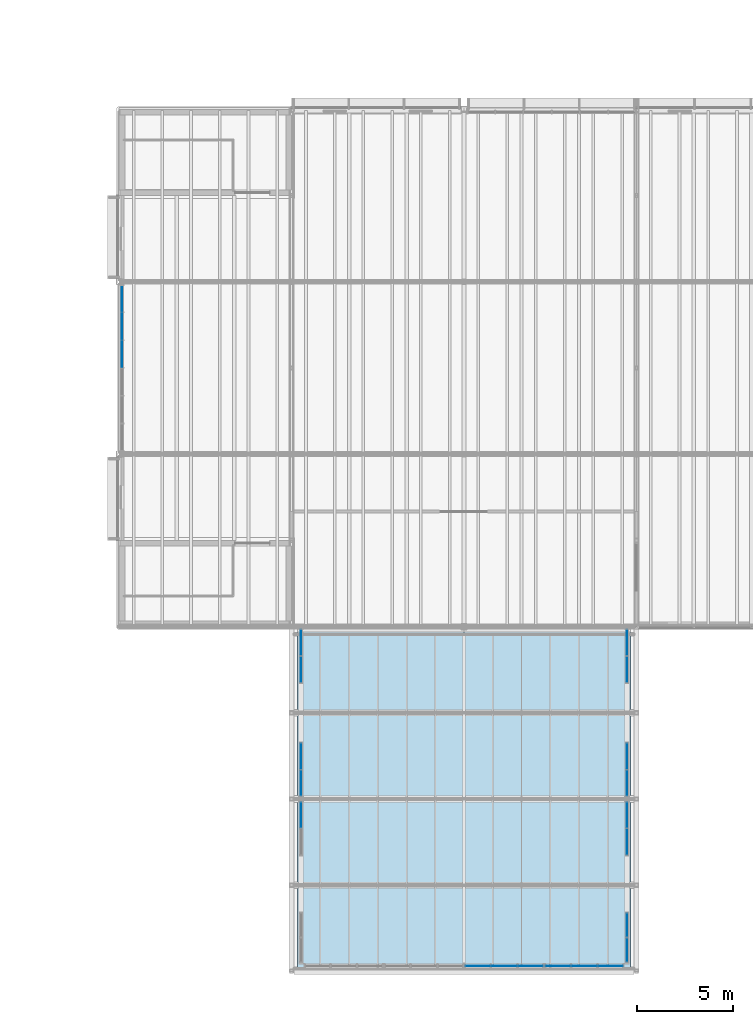
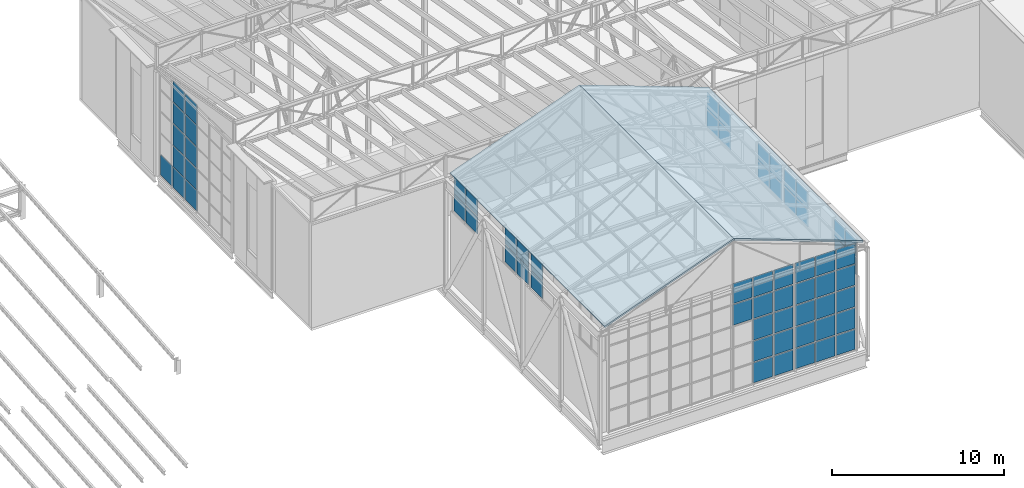
# One storey, part 67 of 90: 64 plates, 2 slabs, 10 elements without a shape of their own.
"""IFC4 building model written with IfcOpenShell, lengths in metres."""

from ifc_helpers import new_model, si_unit, direction, frame, origin, origin_2d, place, context, subcontext, project, spatial, polyline, rectangle, outline, extrude, material, layer, layer_set, type_object, element, aggregate, save


model = new_model("IFC4")

# Units and contexts
model_context = context("Model", 3, precision=1e-05, world=origin(), true_north=direction((0.0, 1.0)))
body_context = subcontext(model_context, "Body", "Model", "MODEL_VIEW")
ifc_project = project(units=[si_unit("LENGTHUNIT", "METRE"), si_unit("AREAUNIT", "SQUARE_METRE"), si_unit("VOLUMEUNIT", "CUBIC_METRE"), si_unit("PLANEANGLEUNIT", "RADIAN"), si_unit("MASSUNIT", "GRAM", prefix="KILO")], contexts=[model_context])

# Site, building, storey
site_placement = place(None, origin())
site = spatial("IfcSite", under=ifc_project, at=site_placement, CompositionType="ELEMENT")
building_placement = place(site_placement, origin())
building = spatial("IfcBuilding", under=site, at=building_placement, Name="Halyard Row Museum", CompositionType="ELEMENT")
storey_placement = place(building_placement, frame((0.0, 0.0, 13.39990234375)))
storey = spatial("IfcBuildingStorey", under=building, at=storey_placement, Name="L03", CompositionType="ELEMENT", Elevation=13.39990234375)

# Curtain wall, plates
ifc_material_1 = material(Name="Double glazed unit, low-emissivity", Category="glass")
ifc_layer_1 = layer(ifc_material_1, 0.179931640625)
ifc_layer_set_1 = layer_set([ifc_layer_1], Name="Double glazed unit, low-emissivity")
curtain_wall_type_1 = type_object("IfcCurtainWallType", Name="Curtain wall stick 180 deep", PredefinedType="NOTDEFINED", material=ifc_layer_set_1)
curtain_wall_1_placement = place(storey_placement, origin())
curtain_wall_1 = element("IfcCurtainWall", 1, at=curtain_wall_1_placement, inside=storey, type_object=curtain_wall_type_1, Name="Curtain wall CW068", PredefinedType="NOTDEFINED")
ifc_material_2 = material(Name="Double glazed unit, low-emissivity", Category="glass")
ifc_layer_2 = layer(ifc_material_2, 0.028076171875)
ifc_layer_set_2 = layer_set([ifc_layer_2], Name="Double glazed unit, low-emissivity")
plate_type_1 = type_object("IfcPlateType", Name="Curtain wall glazed panel CP2 28", PredefinedType="CURTAIN_PANEL", material=ifc_layer_set_2)
plate_1_placement = place(storey_placement, frame((36.489990234375, 8.168212890625, 5.1328125), z_axis=(0.0, 0.0, 1.0), x_axis=(0.0, 1.0, 0.0)))
plate_1 = element("IfcPlate", 2, at=plate_1_placement, type_object=plate_type_1, Name="CW068 panel 2.1", PredefinedType="CURTAIN_PANEL", context=body_context, shape_type="SweptSolid", body=[
    extrude(rectangle(XDim=1.34326171875, YDim=0.028076171875, at=origin_2d()), origin(), (0.0, 0.0, 1.0), 1.2099609375),
])
plate_2_placement = place(storey_placement, frame((36.489990234375, 8.168212890625, 6.40283203125), z_axis=(0.0, 0.0, 1.0), x_axis=(0.0, 1.0, 0.0)))
plate_2 = element("IfcPlate", 3, at=plate_2_placement, type_object=plate_type_1, Name="CW068 panel 2.2", PredefinedType="CURTAIN_PANEL", context=body_context, shape_type="SweptSolid", body=[
    extrude(rectangle(XDim=1.34326171875, YDim=0.028076171875, at=origin_2d()), origin(), (0.0, 0.0, 1.0), 1.2099609375),
])
aggregate(curtain_wall_1, [plate_1, plate_2])

curtain_wall_2_placement = place(storey_placement, origin())
curtain_wall_2 = element("IfcCurtainWall", 4, at=curtain_wall_2_placement, inside=storey, type_object=curtain_wall_type_1, Name="Curtain wall CW069", PredefinedType="NOTDEFINED")
plate_3_placement = place(storey_placement, frame((36.489990234375, 9.831787109375, 5.1328125), z_axis=(0.0, 0.0, 1.0), x_axis=(0.0, 1.0, 0.0)))
plate_3 = element("IfcPlate", 5, at=plate_3_placement, type_object=plate_type_1, Name="CW069 panel 1.1", PredefinedType="CURTAIN_PANEL", context=body_context, shape_type="SweptSolid", body=[
    extrude(rectangle(XDim=1.34326171875, YDim=0.028076171875, at=origin_2d()), origin(), (0.0, 0.0, 1.0), 1.2099609375),
])
plate_4_placement = place(storey_placement, frame((36.489990234375, 9.831787109375, 6.40283203125), z_axis=(0.0, 0.0, 1.0), x_axis=(0.0, 1.0, 0.0)))
plate_4 = element("IfcPlate", 6, at=plate_4_placement, type_object=plate_type_1, Name="CW069 panel 1.2", PredefinedType="CURTAIN_PANEL", context=body_context, shape_type="SweptSolid", body=[
    extrude(rectangle(XDim=1.34326171875, YDim=0.028076171875, at=origin_2d()), origin(), (0.0, 0.0, 1.0), 1.2099609375),
])
plate_5_placement = place(storey_placement, frame((36.489990234375, 11.235107421875, 5.1328125), z_axis=(0.0, 0.0, 1.0), x_axis=(0.0, 1.0, 0.0)))
plate_5 = element("IfcPlate", 7, at=plate_5_placement, type_object=plate_type_1, Name="CW069 panel 2.1", PredefinedType="CURTAIN_PANEL", context=body_context, shape_type="SweptSolid", body=[
    extrude(rectangle(XDim=1.34326171875, YDim=0.028076171875, at=origin_2d()), origin(), (0.0, 0.0, 1.0), 1.2099609375),
])
plate_6_placement = place(storey_placement, frame((36.489990234375, 11.235107421875, 6.40283203125), z_axis=(0.0, 0.0, 1.0), x_axis=(0.0, 1.0, 0.0)))
plate_6 = element("IfcPlate", 8, at=plate_6_placement, type_object=plate_type_1, Name="CW069 panel 2.2", PredefinedType="CURTAIN_PANEL", context=body_context, shape_type="SweptSolid", body=[
    extrude(rectangle(XDim=1.34326171875, YDim=0.028076171875, at=origin_2d()), origin(), (0.0, 0.0, 1.0), 1.2099609375),
])
aggregate(curtain_wall_2, [plate_3, plate_4, plate_5, plate_6])

curtain_wall_3_placement = place(storey_placement, origin())
curtain_wall_3 = element("IfcCurtainWall", 9, at=curtain_wall_3_placement, inside=storey, type_object=curtain_wall_type_1, Name="Curtain wall CW070", PredefinedType="NOTDEFINED")
plate_7_placement = place(storey_placement, frame((36.489990234375, 15.764892578125, 5.1328125), z_axis=(0.0, 0.0, 1.0), x_axis=(0.0, 1.0, 0.0)))
plate_7 = element("IfcPlate", 10, at=plate_7_placement, type_object=plate_type_1, Name="CW070 panel 1.1", PredefinedType="CURTAIN_PANEL", context=body_context, shape_type="SweptSolid", body=[
    extrude(rectangle(XDim=1.34326171875, YDim=0.028076171875, at=origin_2d()), origin(), (0.0, 0.0, 1.0), 1.2099609375),
])
plate_8_placement = place(storey_placement, frame((36.489990234375, 15.764892578125, 6.40283203125), z_axis=(0.0, 0.0, 1.0), x_axis=(0.0, 1.0, 0.0)))
plate_8 = element("IfcPlate", 11, at=plate_8_placement, type_object=plate_type_1, Name="CW070 panel 1.2", PredefinedType="CURTAIN_PANEL", context=body_context, shape_type="SweptSolid", body=[
    extrude(rectangle(XDim=1.34326171875, YDim=0.028076171875, at=origin_2d()), origin(), (0.0, 0.0, 1.0), 1.2099609375),
])
plate_9_placement = place(storey_placement, frame((36.489990234375, 17.168212890625, 5.1328125), z_axis=(0.0, 0.0, 1.0), x_axis=(0.0, 1.0, 0.0)))
plate_9 = element("IfcPlate", 12, at=plate_9_placement, type_object=plate_type_1, Name="CW070 panel 2.1", PredefinedType="CURTAIN_PANEL", context=body_context, shape_type="SweptSolid", body=[
    extrude(rectangle(XDim=1.34326171875, YDim=0.028076171875, at=origin_2d()), origin(), (0.0, 0.0, 1.0), 1.2099609375),
])
plate_10_placement = place(storey_placement, frame((36.489990234375, 17.168212890625, 6.40283203125), z_axis=(0.0, 0.0, 1.0), x_axis=(0.0, 1.0, 0.0)))
plate_10 = element("IfcPlate", 13, at=plate_10_placement, type_object=plate_type_1, Name="CW070 panel 2.2", PredefinedType="CURTAIN_PANEL", context=body_context, shape_type="SweptSolid", body=[
    extrude(rectangle(XDim=1.34326171875, YDim=0.028076171875, at=origin_2d()), origin(), (0.0, 0.0, 1.0), 1.2099609375),
])
aggregate(curtain_wall_3, [plate_7, plate_8, plate_9, plate_10])

curtain_wall_4_placement = place(storey_placement, origin())
curtain_wall_4 = element("IfcCurtainWall", 14, at=curtain_wall_4_placement, inside=storey, type_object=curtain_wall_type_1, Name="Curtain wall CW071", PredefinedType="NOTDEFINED")
plate_11_placement = place(storey_placement, frame((53.510009765625, 1.123291015625, 5.1328125), z_axis=(0.0, 0.0, 1.0), x_axis=(0.0, 1.0, 0.0)))
plate_11 = element("IfcPlate", 15, at=plate_11_placement, type_object=plate_type_1, Name="CW071 panel 1.1", PredefinedType="CURTAIN_PANEL", context=body_context, shape_type="SweptSolid", body=[
    extrude(rectangle(XDim=1.2265625, YDim=0.028076171875, at=origin_2d()), origin(), (0.0, 0.0, 1.0), 1.2099609375),
])
plate_12_placement = place(storey_placement, frame((53.510009765625, 1.123291015625, 6.40283203125), z_axis=(0.0, 0.0, 1.0), x_axis=(0.0, 1.0, 0.0)))
plate_12 = element("IfcPlate", 16, at=plate_12_placement, type_object=plate_type_1, Name="CW071 panel 1.2", PredefinedType="CURTAIN_PANEL", context=body_context, shape_type="SweptSolid", body=[
    extrude(rectangle(XDim=1.2265625, YDim=0.028076171875, at=origin_2d()), origin(), (0.0, 0.0, 1.0), 1.2099609375),
])
plate_13_placement = place(storey_placement, frame((53.510009765625, 2.409912109375, 5.1328125), z_axis=(0.0, 0.0, 1.0), x_axis=(0.0, 1.0, 0.0)))
plate_13 = element("IfcPlate", 17, at=plate_13_placement, type_object=plate_type_1, Name="CW071 panel 2.1", PredefinedType="CURTAIN_PANEL", context=body_context, shape_type="SweptSolid", body=[
    extrude(rectangle(XDim=1.2265625, YDim=0.028076171875, at=origin_2d()), origin(), (0.0, 0.0, 1.0), 1.2099609375),
])
plate_14_placement = place(storey_placement, frame((53.510009765625, 2.409912109375, 6.40283203125), z_axis=(0.0, 0.0, 1.0), x_axis=(0.0, 1.0, 0.0)))
plate_14 = element("IfcPlate", 18, at=plate_14_placement, type_object=plate_type_1, Name="CW071 panel 2.2", PredefinedType="CURTAIN_PANEL", context=body_context, shape_type="SweptSolid", body=[
    extrude(rectangle(XDim=1.2265625, YDim=0.028076171875, at=origin_2d()), origin(), (0.0, 0.0, 1.0), 1.2099609375),
])
aggregate(curtain_wall_4, [plate_11, plate_12, plate_13, plate_14])

curtain_wall_5_placement = place(storey_placement, origin())
curtain_wall_5 = element("IfcCurtainWall", 19, at=curtain_wall_5_placement, inside=storey, type_object=curtain_wall_type_1, Name="Curtain wall CW072", PredefinedType="NOTDEFINED")
plate_15_placement = place(storey_placement, frame((53.510009765625, 6.764892578125, 5.1328125), z_axis=(0.0, 0.0, 1.0), x_axis=(0.0, 1.0, 0.0)))
plate_15 = element("IfcPlate", 20, at=plate_15_placement, type_object=plate_type_1, Name="CW072 panel 1.1", PredefinedType="CURTAIN_PANEL", context=body_context, shape_type="SweptSolid", body=[
    extrude(rectangle(XDim=1.34326171875, YDim=0.028076171875, at=origin_2d()), origin(), (0.0, 0.0, 1.0), 1.2099609375),
])
plate_16_placement = place(storey_placement, frame((53.510009765625, 6.764892578125, 6.40283203125), z_axis=(0.0, 0.0, 1.0), x_axis=(0.0, 1.0, 0.0)))
plate_16 = element("IfcPlate", 21, at=plate_16_placement, type_object=plate_type_1, Name="CW072 panel 1.2", PredefinedType="CURTAIN_PANEL", context=body_context, shape_type="SweptSolid", body=[
    extrude(rectangle(XDim=1.34326171875, YDim=0.028076171875, at=origin_2d()), origin(), (0.0, 0.0, 1.0), 1.2099609375),
])
plate_17_placement = place(storey_placement, frame((53.510009765625, 8.168212890625, 5.1328125), z_axis=(0.0, 0.0, 1.0), x_axis=(0.0, 1.0, 0.0)))
plate_17 = element("IfcPlate", 22, at=plate_17_placement, type_object=plate_type_1, Name="CW072 panel 2.1", PredefinedType="CURTAIN_PANEL", context=body_context, shape_type="SweptSolid", body=[
    extrude(rectangle(XDim=1.34326171875, YDim=0.028076171875, at=origin_2d()), origin(), (0.0, 0.0, 1.0), 1.2099609375),
])
plate_18_placement = place(storey_placement, frame((53.510009765625, 8.168212890625, 6.40283203125), z_axis=(0.0, 0.0, 1.0), x_axis=(0.0, 1.0, 0.0)))
plate_18 = element("IfcPlate", 23, at=plate_18_placement, type_object=plate_type_1, Name="CW072 panel 2.2", PredefinedType="CURTAIN_PANEL", context=body_context, shape_type="SweptSolid", body=[
    extrude(rectangle(XDim=1.34326171875, YDim=0.028076171875, at=origin_2d()), origin(), (0.0, 0.0, 1.0), 1.2099609375),
])
aggregate(curtain_wall_5, [plate_15, plate_16, plate_17, plate_18])

curtain_wall_6_placement = place(storey_placement, origin())
curtain_wall_6 = element("IfcCurtainWall", 24, at=curtain_wall_6_placement, inside=storey, type_object=curtain_wall_type_1, Name="Curtain wall CW073", PredefinedType="NOTDEFINED")
plate_19_placement = place(storey_placement, frame((53.510009765625, 9.831787109375, 5.1328125), z_axis=(0.0, 0.0, 1.0), x_axis=(0.0, 1.0, 0.0)))
plate_19 = element("IfcPlate", 25, at=plate_19_placement, type_object=plate_type_1, Name="CW073 panel 1.1", PredefinedType="CURTAIN_PANEL", context=body_context, shape_type="SweptSolid", body=[
    extrude(rectangle(XDim=1.34326171875, YDim=0.028076171875, at=origin_2d()), origin(), (0.0, 0.0, 1.0), 1.2099609375),
])
plate_20_placement = place(storey_placement, frame((53.510009765625, 9.831787109375, 6.40283203125), z_axis=(0.0, 0.0, 1.0), x_axis=(0.0, 1.0, 0.0)))
plate_20 = element("IfcPlate", 26, at=plate_20_placement, type_object=plate_type_1, Name="CW073 panel 1.2", PredefinedType="CURTAIN_PANEL", context=body_context, shape_type="SweptSolid", body=[
    extrude(rectangle(XDim=1.34326171875, YDim=0.028076171875, at=origin_2d()), origin(), (0.0, 0.0, 1.0), 1.2099609375),
])
plate_21_placement = place(storey_placement, frame((53.510009765625, 11.235107421875, 5.1328125), z_axis=(0.0, 0.0, 1.0), x_axis=(0.0, 1.0, 0.0)))
plate_21 = element("IfcPlate", 27, at=plate_21_placement, type_object=plate_type_1, Name="CW073 panel 2.1", PredefinedType="CURTAIN_PANEL", context=body_context, shape_type="SweptSolid", body=[
    extrude(rectangle(XDim=1.34326171875, YDim=0.028076171875, at=origin_2d()), origin(), (0.0, 0.0, 1.0), 1.2099609375),
])
plate_22_placement = place(storey_placement, frame((53.510009765625, 11.235107421875, 6.40283203125), z_axis=(0.0, 0.0, 1.0), x_axis=(0.0, 1.0, 0.0)))
plate_22 = element("IfcPlate", 28, at=plate_22_placement, type_object=plate_type_1, Name="CW073 panel 2.2", PredefinedType="CURTAIN_PANEL", context=body_context, shape_type="SweptSolid", body=[
    extrude(rectangle(XDim=1.34326171875, YDim=0.028076171875, at=origin_2d()), origin(), (0.0, 0.0, 1.0), 1.2099609375),
])
aggregate(curtain_wall_6, [plate_19, plate_20, plate_21, plate_22])

curtain_wall_7_placement = place(storey_placement, origin())
curtain_wall_7 = element("IfcCurtainWall", 29, at=curtain_wall_7_placement, inside=storey, type_object=curtain_wall_type_1, Name="Curtain wall CW074", PredefinedType="NOTDEFINED")
plate_23_placement = place(storey_placement, frame((53.510009765625, 15.764892578125, 5.1328125), z_axis=(0.0, 0.0, 1.0), x_axis=(0.0, 1.0, 0.0)))
plate_23 = element("IfcPlate", 30, at=plate_23_placement, type_object=plate_type_1, Name="CW074 panel 1.1", PredefinedType="CURTAIN_PANEL", context=body_context, shape_type="SweptSolid", body=[
    extrude(rectangle(XDim=1.34326171875, YDim=0.028076171875, at=origin_2d()), origin(), (0.0, 0.0, 1.0), 1.2099609375),
])
plate_24_placement = place(storey_placement, frame((53.510009765625, 15.764892578125, 6.40283203125), z_axis=(0.0, 0.0, 1.0), x_axis=(0.0, 1.0, 0.0)))
plate_24 = element("IfcPlate", 31, at=plate_24_placement, type_object=plate_type_1, Name="CW074 panel 1.2", PredefinedType="CURTAIN_PANEL", context=body_context, shape_type="SweptSolid", body=[
    extrude(rectangle(XDim=1.34326171875, YDim=0.028076171875, at=origin_2d()), origin(), (0.0, 0.0, 1.0), 1.2099609375),
])
plate_25_placement = place(storey_placement, frame((53.510009765625, 17.168212890625, 5.1328125), z_axis=(0.0, 0.0, 1.0), x_axis=(0.0, 1.0, 0.0)))
plate_25 = element("IfcPlate", 32, at=plate_25_placement, type_object=plate_type_1, Name="CW074 panel 2.1", PredefinedType="CURTAIN_PANEL", context=body_context, shape_type="SweptSolid", body=[
    extrude(rectangle(XDim=1.34326171875, YDim=0.028076171875, at=origin_2d()), origin(), (0.0, 0.0, 1.0), 1.2099609375),
])
plate_26_placement = place(storey_placement, frame((53.510009765625, 17.168212890625, 6.40283203125), z_axis=(0.0, 0.0, 1.0), x_axis=(0.0, 1.0, 0.0)))
plate_26 = element("IfcPlate", 33, at=plate_26_placement, type_object=plate_type_1, Name="CW074 panel 2.2", PredefinedType="CURTAIN_PANEL", context=body_context, shape_type="SweptSolid", body=[
    extrude(rectangle(XDim=1.34326171875, YDim=0.028076171875, at=origin_2d()), origin(), (0.0, 0.0, 1.0), 1.2099609375),
])
aggregate(curtain_wall_7, [plate_23, plate_24, plate_25, plate_26])

ifc_material_3 = material(Name="Double glazed unit, low-emissivity", Category="glass")
ifc_layer_3 = layer(ifc_material_3, 0.300048828125)
ifc_layer_set_3 = layer_set([ifc_layer_3], Name="Double glazed unit, low-emissivity")
curtain_wall_type_2 = type_object("IfcCurtainWallType", Name="Curtain wall deep-framed 300 deep", PredefinedType="NOTDEFINED", material=ifc_layer_set_3)
curtain_wall_8_placement = place(storey_placement, origin())
curtain_wall_8 = element("IfcCurtainWall", 34, at=curtain_wall_8_placement, inside=storey, type_object=curtain_wall_type_2, Name="Curtain wall CW065", PredefinedType="NOTDEFINED")
ifc_material_4 = material(Name="Double glazed unit, low-emissivity", Category="glass")
ifc_layer_4 = layer(ifc_material_4, 0.0400390625)
ifc_layer_set_4 = layer_set([ifc_layer_4], Name="Double glazed unit, low-emissivity")
plate_type_2 = type_object("IfcPlateType", Name="Curtain wall glazed panel CP6 40", PredefinedType="CURTAIN_PANEL", material=ifc_layer_set_4)
plate_27_placement = place(storey_placement, frame((45.71630859375, 0.27490234375, 4.64111328125), z_axis=(0.0, 0.0, 1.0), x_axis=(1.0, 0.0, 0.0)))
plate_27 = element("IfcPlate", 35, at=plate_27_placement, type_object=plate_type_2, Name="CW065 panel 1.4", PredefinedType="CURTAIN_PANEL", context=body_context, shape_type="SweptSolid", body=[
    extrude(rectangle(XDim=1.282470703125, YDim=0.0400390625, at=origin_2d()), origin(), (0.0, 0.0, 1.0), 1.45947265625),
])
plate_28_placement = place(storey_placement, frame((45.71630859375, 0.27490234375, 6.17578125), z_axis=(0.0, 0.0, 1.0), x_axis=(1.0, 0.0, 0.0)))
plate_28 = element("IfcPlate", 36, at=plate_28_placement, type_object=plate_type_2, Name="CW065 panel 1.5", PredefinedType="CURTAIN_PANEL", context=body_context, shape_type="SweptSolid", body=[
    extrude(rectangle(XDim=1.282470703125, YDim=0.0400390625, at=origin_2d()), origin(), (0.0, 0.0, 1.0), 1.422119140625),
])
plate_29_placement = place(storey_placement, frame((47.092529296875, 0.27490234375, 0.0751953125), z_axis=(0.0, 0.0, 1.0), x_axis=(1.0, 0.0, 0.0)))
plate_29 = element("IfcPlate", 37, at=plate_29_placement, type_object=plate_type_2, Name="CW065 panel 2.1", PredefinedType="CURTAIN_PANEL", context=body_context, shape_type="SweptSolid", body=[
    extrude(rectangle(XDim=1.320068359375, YDim=0.0400390625, at=origin_2d()), origin(), (0.0, 0.0, 1.0), 1.422119140625),
])
plate_30_placement = place(storey_placement, frame((47.092529296875, 0.27490234375, 1.572265625), z_axis=(0.0, 0.0, 1.0), x_axis=(1.0, 0.0, 0.0)))
plate_30 = element("IfcPlate", 38, at=plate_30_placement, type_object=plate_type_2, Name="CW065 panel 2.2", PredefinedType="CURTAIN_PANEL", context=body_context, shape_type="SweptSolid", body=[
    extrude(rectangle(XDim=1.320068359375, YDim=0.0400390625, at=origin_2d()), origin(), (0.0, 0.0, 1.0), 1.45947265625),
])
plate_31_placement = place(storey_placement, frame((47.092529296875, 0.27490234375, 3.106689453125), z_axis=(0.0, 0.0, 1.0), x_axis=(1.0, 0.0, 0.0)))
plate_31 = element("IfcPlate", 39, at=plate_31_placement, type_object=plate_type_2, Name="CW065 panel 2.3", PredefinedType="CURTAIN_PANEL", context=body_context, shape_type="SweptSolid", body=[
    extrude(rectangle(XDim=1.320068359375, YDim=0.0400390625, at=origin_2d()), origin(), (0.0, 0.0, 1.0), 1.45947265625),
])
plate_32_placement = place(storey_placement, frame((47.092529296875, 0.27490234375, 4.64111328125), z_axis=(0.0, 0.0, 1.0), x_axis=(1.0, 0.0, 0.0)))
plate_32 = element("IfcPlate", 40, at=plate_32_placement, type_object=plate_type_2, Name="CW065 panel 2.4", PredefinedType="CURTAIN_PANEL", context=body_context, shape_type="SweptSolid", body=[
    extrude(rectangle(XDim=1.320068359375, YDim=0.0400390625, at=origin_2d()), origin(), (0.0, 0.0, 1.0), 1.45947265625),
])
plate_33_placement = place(storey_placement, frame((47.092529296875, 0.27490234375, 6.17578125), z_axis=(0.0, 0.0, 1.0), x_axis=(1.0, 0.0, 0.0)))
plate_33 = element("IfcPlate", 41, at=plate_33_placement, type_object=plate_type_2, Name="CW065 panel 2.5", PredefinedType="CURTAIN_PANEL", context=body_context, shape_type="SweptSolid", body=[
    extrude(rectangle(XDim=1.320068359375, YDim=0.0400390625, at=origin_2d()), origin(), (0.0, 0.0, 1.0), 1.422119140625),
])
plate_34_placement = place(storey_placement, frame((48.46875, 0.27490234375, 0.0751953125), z_axis=(0.0, 0.0, 1.0), x_axis=(1.0, 0.0, 0.0)))
plate_34 = element("IfcPlate", 42, at=plate_34_placement, type_object=plate_type_2, Name="CW065 panel 3.1", PredefinedType="CURTAIN_PANEL", context=body_context, shape_type="SweptSolid", body=[
    extrude(rectangle(XDim=1.282470703125, YDim=0.0400390625, at=origin_2d()), origin(), (0.0, 0.0, 1.0), 1.422119140625),
])
plate_35_placement = place(storey_placement, frame((48.46875, 0.27490234375, 1.572265625), z_axis=(0.0, 0.0, 1.0), x_axis=(1.0, 0.0, 0.0)))
plate_35 = element("IfcPlate", 43, at=plate_35_placement, type_object=plate_type_2, Name="CW065 panel 3.2", PredefinedType="CURTAIN_PANEL", context=body_context, shape_type="SweptSolid", body=[
    extrude(rectangle(XDim=1.282470703125, YDim=0.0400390625, at=origin_2d()), origin(), (0.0, 0.0, 1.0), 1.45947265625),
])
plate_36_placement = place(storey_placement, frame((48.46875, 0.27490234375, 3.106689453125), z_axis=(0.0, 0.0, 1.0), x_axis=(1.0, 0.0, 0.0)))
plate_36 = element("IfcPlate", 44, at=plate_36_placement, type_object=plate_type_2, Name="CW065 panel 3.3", PredefinedType="CURTAIN_PANEL", context=body_context, shape_type="SweptSolid", body=[
    extrude(rectangle(XDim=1.282470703125, YDim=0.0400390625, at=origin_2d()), origin(), (0.0, 0.0, 1.0), 1.45947265625),
])
plate_37_placement = place(storey_placement, frame((48.46875, 0.27490234375, 4.64111328125), z_axis=(0.0, 0.0, 1.0), x_axis=(1.0, 0.0, 0.0)))
plate_37 = element("IfcPlate", 45, at=plate_37_placement, type_object=plate_type_2, Name="CW065 panel 3.4", PredefinedType="CURTAIN_PANEL", context=body_context, shape_type="SweptSolid", body=[
    extrude(rectangle(XDim=1.282470703125, YDim=0.0400390625, at=origin_2d()), origin(), (0.0, 0.0, 1.0), 1.45947265625),
])
plate_38_placement = place(storey_placement, frame((48.46875, 0.27490234375, 6.17578125), z_axis=(0.0, 0.0, 1.0), x_axis=(1.0, 0.0, 0.0)))
plate_38 = element("IfcPlate", 46, at=plate_38_placement, type_object=plate_type_2, Name="CW065 panel 3.5", PredefinedType="CURTAIN_PANEL", context=body_context, shape_type="SweptSolid", body=[
    extrude(rectangle(XDim=1.282470703125, YDim=0.0400390625, at=origin_2d()), origin(), (0.0, 0.0, 1.0), 1.422119140625),
])
aggregate(curtain_wall_8, [plate_27, plate_28, plate_29, plate_30, plate_31, plate_32, plate_33, plate_34, plate_35, plate_36, plate_37, plate_38])

curtain_wall_9_placement = place(storey_placement, origin())
curtain_wall_9 = element("IfcCurtainWall", 47, at=curtain_wall_9_placement, inside=storey, type_object=curtain_wall_type_2, Name="Curtain wall CW066", PredefinedType="NOTDEFINED")
plate_39_placement = place(storey_placement, frame((49.9013671875, 0.27490234375, 0.0751953125), z_axis=(0.0, 0.0, 1.0), x_axis=(1.0, 0.0, 0.0)))
plate_39 = element("IfcPlate", 48, at=plate_39_placement, type_object=plate_type_2, Name="CW066 panel 1.1", PredefinedType="CURTAIN_PANEL", context=body_context, shape_type="SweptSolid", body=[
    extrude(rectangle(XDim=1.282470703125, YDim=0.0400390625, at=origin_2d()), origin(), (0.0, 0.0, 1.0), 1.422119140625),
])
plate_40_placement = place(storey_placement, frame((49.9013671875, 0.27490234375, 1.572265625), z_axis=(0.0, 0.0, 1.0), x_axis=(1.0, 0.0, 0.0)))
plate_40 = element("IfcPlate", 49, at=plate_40_placement, type_object=plate_type_2, Name="CW066 panel 1.2", PredefinedType="CURTAIN_PANEL", context=body_context, shape_type="SweptSolid", body=[
    extrude(rectangle(XDim=1.282470703125, YDim=0.0400390625, at=origin_2d()), origin(), (0.0, 0.0, 1.0), 1.45947265625),
])
plate_41_placement = place(storey_placement, frame((49.9013671875, 0.27490234375, 3.106689453125), z_axis=(0.0, 0.0, 1.0), x_axis=(1.0, 0.0, 0.0)))
plate_41 = element("IfcPlate", 50, at=plate_41_placement, type_object=plate_type_2, Name="CW066 panel 1.3", PredefinedType="CURTAIN_PANEL", context=body_context, shape_type="SweptSolid", body=[
    extrude(rectangle(XDim=1.282470703125, YDim=0.0400390625, at=origin_2d()), origin(), (0.0, 0.0, 1.0), 1.45947265625),
])
plate_42_placement = place(storey_placement, frame((49.9013671875, 0.27490234375, 4.64111328125), z_axis=(0.0, 0.0, 1.0), x_axis=(1.0, 0.0, 0.0)))
plate_42 = element("IfcPlate", 51, at=plate_42_placement, type_object=plate_type_2, Name="CW066 panel 1.4", PredefinedType="CURTAIN_PANEL", context=body_context, shape_type="SweptSolid", body=[
    extrude(rectangle(XDim=1.282470703125, YDim=0.0400390625, at=origin_2d()), origin(), (0.0, 0.0, 1.0), 1.45947265625),
])
plate_43_placement = place(storey_placement, frame((49.9013671875, 0.27490234375, 6.17578125), z_axis=(0.0, 0.0, 1.0), x_axis=(1.0, 0.0, 0.0)))
plate_43 = element("IfcPlate", 52, at=plate_43_placement, type_object=plate_type_2, Name="CW066 panel 1.5", PredefinedType="CURTAIN_PANEL", context=body_context, shape_type="SweptSolid", body=[
    extrude(rectangle(XDim=1.282470703125, YDim=0.0400390625, at=origin_2d()), origin(), (0.0, 0.0, 1.0), 1.422119140625),
])
plate_44_placement = place(storey_placement, frame((51.277587890625, 0.27490234375, 0.0751953125), z_axis=(0.0, 0.0, 1.0), x_axis=(1.0, 0.0, 0.0)))
plate_44 = element("IfcPlate", 53, at=plate_44_placement, type_object=plate_type_2, Name="CW066 panel 2.1", PredefinedType="CURTAIN_PANEL", context=body_context, shape_type="SweptSolid", body=[
    extrude(rectangle(XDim=1.320068359375, YDim=0.0400390625, at=origin_2d()), origin(), (0.0, 0.0, 1.0), 1.422119140625),
])
plate_45_placement = place(storey_placement, frame((51.277587890625, 0.27490234375, 1.572265625), z_axis=(0.0, 0.0, 1.0), x_axis=(1.0, 0.0, 0.0)))
plate_45 = element("IfcPlate", 54, at=plate_45_placement, type_object=plate_type_2, Name="CW066 panel 2.2", PredefinedType="CURTAIN_PANEL", context=body_context, shape_type="SweptSolid", body=[
    extrude(rectangle(XDim=1.320068359375, YDim=0.0400390625, at=origin_2d()), origin(), (0.0, 0.0, 1.0), 1.45947265625),
])
plate_46_placement = place(storey_placement, frame((51.277587890625, 0.27490234375, 3.106689453125), z_axis=(0.0, 0.0, 1.0), x_axis=(1.0, 0.0, 0.0)))
plate_46 = element("IfcPlate", 55, at=plate_46_placement, type_object=plate_type_2, Name="CW066 panel 2.3", PredefinedType="CURTAIN_PANEL", context=body_context, shape_type="SweptSolid", body=[
    extrude(rectangle(XDim=1.320068359375, YDim=0.0400390625, at=origin_2d()), origin(), (0.0, 0.0, 1.0), 1.45947265625),
])
plate_47_placement = place(storey_placement, frame((51.277587890625, 0.27490234375, 4.64111328125), z_axis=(0.0, 0.0, 1.0), x_axis=(1.0, 0.0, 0.0)))
plate_47 = element("IfcPlate", 56, at=plate_47_placement, type_object=plate_type_2, Name="CW066 panel 2.4", PredefinedType="CURTAIN_PANEL", context=body_context, shape_type="SweptSolid", body=[
    extrude(rectangle(XDim=1.320068359375, YDim=0.0400390625, at=origin_2d()), origin(), (0.0, 0.0, 1.0), 1.45947265625),
])
plate_48_placement = place(storey_placement, frame((51.277587890625, 0.27490234375, 6.17578125), z_axis=(0.0, 0.0, 1.0), x_axis=(1.0, 0.0, 0.0)))
plate_48 = element("IfcPlate", 57, at=plate_48_placement, type_object=plate_type_2, Name="CW066 panel 2.5", PredefinedType="CURTAIN_PANEL", context=body_context, shape_type="SweptSolid", body=[
    extrude(rectangle(XDim=1.320068359375, YDim=0.0400390625, at=origin_2d()), origin(), (0.0, 0.0, 1.0), 1.422119140625),
])
plate_49_placement = place(storey_placement, frame((52.65380859375, 0.27490234375, 0.0751953125), z_axis=(0.0, 0.0, 1.0), x_axis=(1.0, 0.0, 0.0)))
plate_49 = element("IfcPlate", 58, at=plate_49_placement, type_object=plate_type_2, Name="CW066 panel 3.1", PredefinedType="CURTAIN_PANEL", context=body_context, shape_type="SweptSolid", body=[
    extrude(rectangle(XDim=1.282470703125, YDim=0.0400390625, at=origin_2d()), origin(), (0.0, 0.0, 1.0), 1.422119140625),
])
plate_50_placement = place(storey_placement, frame((52.65380859375, 0.27490234375, 1.572265625), z_axis=(0.0, 0.0, 1.0), x_axis=(1.0, 0.0, 0.0)))
plate_50 = element("IfcPlate", 59, at=plate_50_placement, type_object=plate_type_2, Name="CW066 panel 3.2", PredefinedType="CURTAIN_PANEL", context=body_context, shape_type="SweptSolid", body=[
    extrude(rectangle(XDim=1.282470703125, YDim=0.0400390625, at=origin_2d()), origin(), (0.0, 0.0, 1.0), 1.45947265625),
])
plate_51_placement = place(storey_placement, frame((52.65380859375, 0.27490234375, 3.106689453125), z_axis=(0.0, 0.0, 1.0), x_axis=(1.0, 0.0, 0.0)))
plate_51 = element("IfcPlate", 60, at=plate_51_placement, type_object=plate_type_2, Name="CW066 panel 3.3", PredefinedType="CURTAIN_PANEL", context=body_context, shape_type="SweptSolid", body=[
    extrude(rectangle(XDim=1.282470703125, YDim=0.0400390625, at=origin_2d()), origin(), (0.0, 0.0, 1.0), 1.45947265625),
])
plate_52_placement = place(storey_placement, frame((52.65380859375, 0.27490234375, 4.64111328125), z_axis=(0.0, 0.0, 1.0), x_axis=(1.0, 0.0, 0.0)))
plate_52 = element("IfcPlate", 61, at=plate_52_placement, type_object=plate_type_2, Name="CW066 panel 3.4", PredefinedType="CURTAIN_PANEL", context=body_context, shape_type="SweptSolid", body=[
    extrude(rectangle(XDim=1.282470703125, YDim=0.0400390625, at=origin_2d()), origin(), (0.0, 0.0, 1.0), 1.45947265625),
])
plate_53_placement = place(storey_placement, frame((52.65380859375, 0.27490234375, 6.17578125), z_axis=(0.0, 0.0, 1.0), x_axis=(1.0, 0.0, 0.0)))
plate_53 = element("IfcPlate", 62, at=plate_53_placement, type_object=plate_type_2, Name="CW066 panel 3.5", PredefinedType="CURTAIN_PANEL", context=body_context, shape_type="SweptSolid", body=[
    extrude(rectangle(XDim=1.282470703125, YDim=0.0400390625, at=origin_2d()), origin(), (0.0, 0.0, 1.0), 1.422119140625),
])
aggregate(curtain_wall_9, [plate_39, plate_40, plate_41, plate_42, plate_43, plate_44, plate_45, plate_46, plate_47, plate_48, plate_49, plate_50, plate_51, plate_52, plate_53])

ifc_material_5 = material(Name="Double glazed unit, low-emissivity", Category="glass")
ifc_layer_5 = layer(ifc_material_5, 0.199951171875)
ifc_layer_set_5 = layer_set([ifc_layer_5], Name="Double glazed unit, low-emissivity")
curtain_wall_type_3 = type_object("IfcCurtainWallType", Name="Curtain wall gable 200 deep", PredefinedType="NOTDEFINED", material=ifc_layer_set_5)
curtain_wall_10_placement = place(storey_placement, origin())
curtain_wall_10 = element("IfcCurtainWall", 63, at=curtain_wall_10_placement, inside=storey, type_object=curtain_wall_type_3, Name="Curtain wall CW054", PredefinedType="NOTDEFINED")
ifc_material_6 = material(Name="Double glazed unit, low-emissivity", Category="glass")
ifc_layer_6 = layer(ifc_material_6, 0.030029296875)
ifc_layer_set_6 = layer_set([ifc_layer_6], Name="Double glazed unit, low-emissivity")
plate_type_3 = type_object("IfcPlateType", Name="Curtain wall glazed panel CP7 30", PredefinedType="CURTAIN_PANEL", material=ifc_layer_set_6)
plate_54_placement = place(storey_placement, frame((27.14990234375, 35.111328125, 0.05517578125), z_axis=(0.0, 0.0, 1.0), x_axis=(0.0, -1.0, 0.0)))
plate_54 = element("IfcPlate", 64, at=plate_54_placement, type_object=plate_type_3, Name="CW054 panel 1.1", PredefinedType="CURTAIN_PANEL", context=body_context, shape_type="SweptSolid", body=[
    extrude(rectangle(XDim=1.367431640625, YDim=0.030029296875, at=origin_2d()), origin(), (0.0, 0.0, 1.0), 1.453125),
])
plate_55_placement = place(storey_placement, frame((27.14990234375, 33.675048828125, 0.05517578125), z_axis=(0.0, 0.0, 1.0), x_axis=(0.0, -1.0, 0.0)))
plate_55 = element("IfcPlate", 65, at=plate_55_placement, type_object=plate_type_3, Name="CW054 panel 2.1", PredefinedType="CURTAIN_PANEL", context=body_context, shape_type="SweptSolid", body=[
    extrude(rectangle(XDim=1.39501953125, YDim=0.030029296875, at=origin_2d()), origin(), (0.0, 0.0, 1.0), 1.453125),
])
plate_56_placement = place(storey_placement, frame((27.14990234375, 33.675048828125, 1.56298828125), z_axis=(0.0, 0.0, 1.0), x_axis=(0.0, -1.0, 0.0)))
plate_56 = element("IfcPlate", 66, at=plate_56_placement, type_object=plate_type_3, Name="CW054 panel 2.2", PredefinedType="CURTAIN_PANEL", context=body_context, shape_type="SweptSolid", body=[
    extrude(rectangle(XDim=1.39501953125, YDim=0.030029296875, at=origin_2d()), origin(), (0.0, 0.0, 1.0), 1.480712890625),
])
plate_57_placement = place(storey_placement, frame((27.14990234375, 33.675048828125, 3.0986328125), z_axis=(0.0, 0.0, 1.0), x_axis=(0.0, -1.0, 0.0)))
plate_57 = element("IfcPlate", 67, at=plate_57_placement, type_object=plate_type_3, Name="CW054 panel 2.3", PredefinedType="CURTAIN_PANEL", context=body_context, shape_type="SweptSolid", body=[
    extrude(rectangle(XDim=1.39501953125, YDim=0.030029296875, at=origin_2d()), origin(), (0.0, 0.0, 1.0), 1.480712890625),
])
plate_58_placement = place(storey_placement, frame((27.14990234375, 33.675048828125, 4.63427734375), z_axis=(0.0, 0.0, 1.0), x_axis=(0.0, -1.0, 0.0)))
plate_58 = element("IfcPlate", 68, at=plate_58_placement, type_object=plate_type_3, Name="CW054 panel 2.4", PredefinedType="CURTAIN_PANEL", context=body_context, shape_type="SweptSolid", body=[
    extrude(rectangle(XDim=1.39501953125, YDim=0.030029296875, at=origin_2d()), origin(), (0.0, 0.0, 1.0), 1.480712890625),
])
plate_59_placement = place(storey_placement, frame((27.14990234375, 33.675048828125, 6.170166015625), z_axis=(0.0, 0.0, 1.0), x_axis=(0.0, -1.0, 0.0)))
plate_59 = element("IfcPlate", 69, at=plate_59_placement, type_object=plate_type_3, Name="CW054 panel 2.5", PredefinedType="CURTAIN_PANEL", context=body_context, shape_type="SweptSolid", body=[
    extrude(rectangle(XDim=1.39501953125, YDim=0.030029296875, at=origin_2d()), origin(), (0.0, 0.0, 1.0), 1.453125),
])
plate_60_placement = place(storey_placement, frame((27.14990234375, 32.22509765625, 0.05517578125), z_axis=(0.0, 0.0, 1.0), x_axis=(0.0, -1.0, 0.0)))
plate_60 = element("IfcPlate", 70, at=plate_60_placement, type_object=plate_type_3, Name="CW054 panel 3.1", PredefinedType="CURTAIN_PANEL", context=body_context, shape_type="SweptSolid", body=[
    extrude(rectangle(XDim=1.39501953125, YDim=0.030029296875, at=origin_2d()), origin(), (0.0, 0.0, 1.0), 1.453125),
])
plate_61_placement = place(storey_placement, frame((27.14990234375, 32.22509765625, 1.56298828125), z_axis=(0.0, 0.0, 1.0), x_axis=(0.0, -1.0, 0.0)))
plate_61 = element("IfcPlate", 71, at=plate_61_placement, type_object=plate_type_3, Name="CW054 panel 3.2", PredefinedType="CURTAIN_PANEL", context=body_context, shape_type="SweptSolid", body=[
    extrude(rectangle(XDim=1.39501953125, YDim=0.030029296875, at=origin_2d()), origin(), (0.0, 0.0, 1.0), 1.480712890625),
])
plate_62_placement = place(storey_placement, frame((27.14990234375, 32.22509765625, 3.0986328125), z_axis=(0.0, 0.0, 1.0), x_axis=(0.0, -1.0, 0.0)))
plate_62 = element("IfcPlate", 72, at=plate_62_placement, type_object=plate_type_3, Name="CW054 panel 3.3", PredefinedType="CURTAIN_PANEL", context=body_context, shape_type="SweptSolid", body=[
    extrude(rectangle(XDim=1.39501953125, YDim=0.030029296875, at=origin_2d()), origin(), (0.0, 0.0, 1.0), 1.480712890625),
])
plate_63_placement = place(storey_placement, frame((27.14990234375, 32.22509765625, 4.63427734375), z_axis=(0.0, 0.0, 1.0), x_axis=(0.0, -1.0, 0.0)))
plate_63 = element("IfcPlate", 73, at=plate_63_placement, type_object=plate_type_3, Name="CW054 panel 3.4", PredefinedType="CURTAIN_PANEL", context=body_context, shape_type="SweptSolid", body=[
    extrude(rectangle(XDim=1.39501953125, YDim=0.030029296875, at=origin_2d()), origin(), (0.0, 0.0, 1.0), 1.480712890625),
])
plate_64_placement = place(storey_placement, frame((27.14990234375, 32.22509765625, 6.170166015625), z_axis=(0.0, 0.0, 1.0), x_axis=(0.0, -1.0, 0.0)))
plate_64 = element("IfcPlate", 74, at=plate_64_placement, type_object=plate_type_3, Name="CW054 panel 3.5", PredefinedType="CURTAIN_PANEL", context=body_context, shape_type="SweptSolid", body=[
    extrude(rectangle(XDim=1.39501953125, YDim=0.030029296875, at=origin_2d()), origin(), (0.0, 0.0, 1.0), 1.453125),
])
aggregate(curtain_wall_10, [plate_54, plate_55, plate_56, plate_57, plate_58, plate_59, plate_60, plate_61, plate_62, plate_63, plate_64])

# Slabs
ifc_material_7 = material(Name="Pre-weathered zinc standing-seam roofing on insulated timber deck", Category="wood")
ifc_layer_7 = layer(ifc_material_7, 0.1201171875)
ifc_layer_set_7 = layer_set([ifc_layer_7], Name="Pre-weathered zinc standing-seam roofing on insulated timber deck")
slab_type = type_object("IfcSlabType", Name="Gable roof slab 120 zinc on timber deck", PredefinedType="ROOF", material=ifc_layer_set_7)
for number, where, z_axis, x_axis, name in (
    (75, (36.300048828125, 0.0, 7.800048828125), (-0.345202460243, 0.0, 0.938528242219), (0.938528242219, 0.0, 0.345202460243), "Gable roof slab V4-W"),
    (76, (45.0, 0.0, 11.0), (0.345202460243, 0.0, 0.938528242219), (0.938528242219, 0.0, -0.345202460243), "Gable roof slab V4-E"),
):
    element("IfcSlab", number, at=place(storey_placement, frame(where, z_axis=z_axis, x_axis=x_axis)), inside=storey, type_object=slab_type, Name=name, PredefinedType="ROOF", context=body_context, shape_type="SweptSolid", body=[
        extrude(outline(polyline([(0.0, 0.0), (9.26978089791735, 0.0), (9.26978089791735, 18.0), (0.0, 18.0), (0.0, 0.0)])), origin(), (0.0, 0.0, -1.0), 0.1201171875),
    ])

save(model, "model.ifc")
